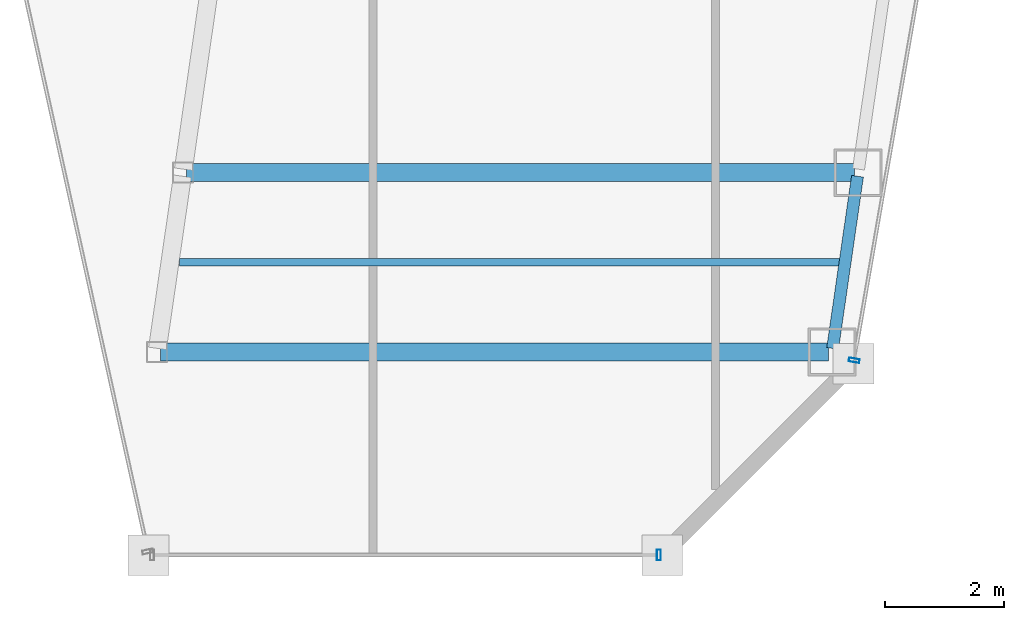
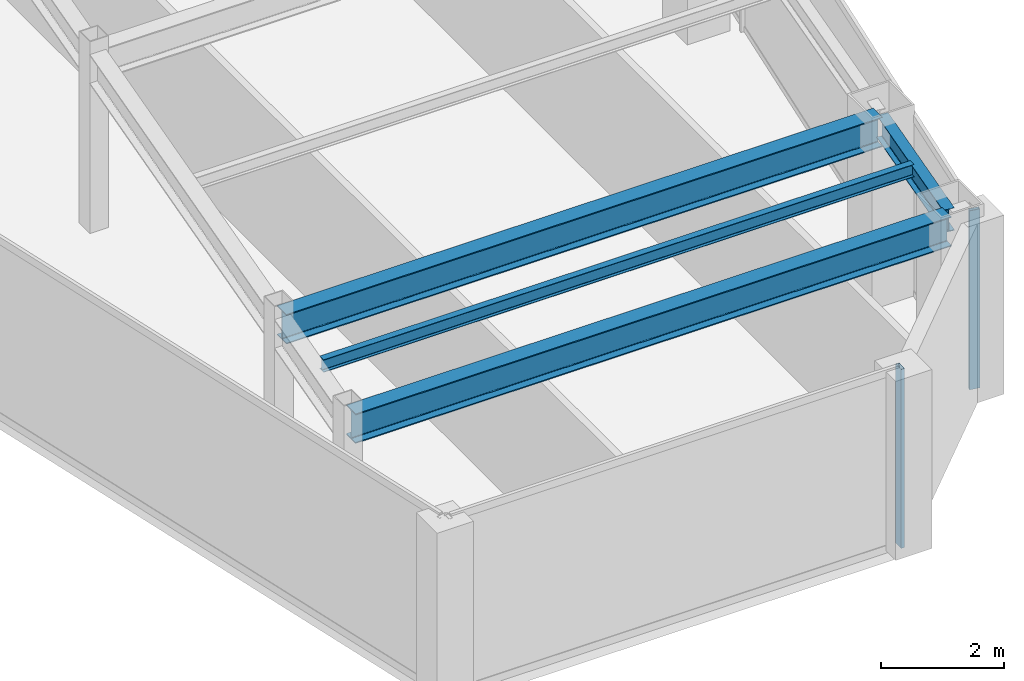
# One storey, part 14 of 33: 4 beams, 2 members, 2 elements without a shape of their own.
"""IFC4 building model written with IfcOpenShell, lengths in metres."""

from ifc_helpers import new_model, si_unit, direction, frame, origin, origin_2d, place, context, subcontext, project, spatial, hollow_rectangle, i_section, extrude, material, material_profile, profile_set, type_object, element, aggregate, save


model = new_model("IFC4")

# Units and contexts
model_context = context("Model", 3, precision=1e-05, world=origin(), true_north=direction((0.0, 1.0)))
body_context = subcontext(model_context, "Body", "Model", "MODEL_VIEW")
ifc_project = project(units=[si_unit("LENGTHUNIT", "METRE"), si_unit("AREAUNIT", "SQUARE_METRE"), si_unit("VOLUMEUNIT", "CUBIC_METRE"), si_unit("PLANEANGLEUNIT", "RADIAN"), si_unit("MASSUNIT", "GRAM", prefix="KILO")], contexts=[model_context])

# Site, building, storey
site_placement = place(None, origin())
site = spatial("IfcSite", under=ifc_project, at=site_placement, CompositionType="ELEMENT")
building_placement = place(site_placement, origin())
building = spatial("IfcBuilding", under=site, at=building_placement, Name="Saevonmaru Cultural Tower", CompositionType="ELEMENT")
storey_placement = place(building_placement, frame((0.0, 0.0, 238.199951171875)))
storey = spatial("IfcBuildingStorey", under=building, at=storey_placement, Name="L55", CompositionType="ELEMENT", Elevation=238.199951171875)

# Beams
ifc_material_1 = material(Name="Steel SM355", Category="steel")
ifc_material_profile_1 = material_profile(ifc_material_1, i_section(OverallWidth=0.300048828125, OverallDepth=0.587890625, WebThickness=0.011962890625, FlangeThickness=0.02001953125, FilletRadius=0.02392578125, at=origin_2d()), Name="H-588x300x12x20")
ifc_profile_set_1 = profile_set([ifc_material_profile_1], Name="Steel SM355")
beam_type_1 = type_object("IfcBeamType", Name="BM-G-H588", PredefinedType="BEAM", material=ifc_profile_set_1)
for number, where, z_axis, x_axis, name in (
    (1, (38.85400390625, 21.0, 3.256103515625), (1.0, 0.0, 0.0), (0.0, 1.0, 0.0), "L55 East Wing Transverse Girder 1"),
    (2, (39.2880859375, 24.0, 3.256103515625), (1.0, 0.0, 0.0), (0.0, 1.0, 0.0), "L55 East Wing Transverse Girder 2"),
):
    element("IfcBeam", number, at=place(storey_placement, frame(where, z_axis=z_axis, x_axis=x_axis)), inside=storey, type_object=beam_type_1, Name=name, PredefinedType="BEAM", context=body_context, shape_type="SweptSolid", body=[
        extrude(i_section(OverallWidth=0.300048828125, OverallDepth=0.587890625, WebThickness=0.011962890625, FlangeThickness=0.02001953125, FilletRadius=0.02392578125, at=origin_2d()), origin(), (0.0, 0.0, 1.0), 11.179931640625),
    ])
ifc_material_profile_2 = material_profile(ifc_material_1, i_section(OverallWidth=0.125, OverallDepth=0.25, WebThickness=0.006103515625, FlangeThickness=0.009033203125, FilletRadius=0.008056640625, at=origin_2d()), Name="H-250x125x6x9")
ifc_profile_set_2 = profile_set([ifc_material_profile_2], Name="Steel SM355")
beam_type_2 = type_object("IfcBeamType", Name="BM-J-H250", PredefinedType="JOIST", material=ifc_profile_set_2)
beam_1_placement = place(storey_placement, frame((39.1689453125, 22.5, 3.425048828125), z_axis=(1.0, 0.0, 0.0), x_axis=(0.0, 1.0, 0.0)))
element("IfcBeam", 3, at=beam_1_placement, inside=storey, type_object=beam_type_2, Name="L55 East Wing Floor Joist 1", PredefinedType="JOIST", context=body_context, shape_type="SweptSolid", body=[
    extrude(i_section(OverallWidth=0.125, OverallDepth=0.25, WebThickness=0.006103515625, FlangeThickness=0.009033203125, FilletRadius=0.008056640625, at=origin_2d()), origin(), (0.0, 0.0, 1.0), 11.08203125),
])
ifc_material_profile_3 = material_profile(ifc_material_1, i_section(OverallWidth=0.199951171875, OverallDepth=0.449951171875, WebThickness=0.009033203125, FlangeThickness=0.013916015625, FilletRadius=0.01806640625, at=origin_2d()), Name="H-450x200x9x14")
ifc_profile_set_3 = profile_set([ifc_material_profile_3], Name="Steel SM355")
beam_type_3 = type_object("IfcBeamType", Name="BM-SP-H450", PredefinedType="SPANDREL", material=ifc_profile_set_3)
beam_2_placement = place(storey_placement, frame((50.1025390625, 21.059326171875, 3.324951171875), z_axis=(0.143146955239, 0.98970144448, 0.0), x_axis=(-0.98970144448, 0.143146955239, 0.0)))
element("IfcBeam", 4, at=beam_2_placement, inside=storey, type_object=beam_type_3, Name="L55 East Splayed Spandrel 1", PredefinedType="SPANDREL", context=body_context, shape_type="SweptSolid", body=[
    extrude(i_section(OverallWidth=0.199951171875, OverallDepth=0.449951171875, WebThickness=0.009033203125, FlangeThickness=0.013916015625, FilletRadius=0.01806640625, at=origin_2d()), origin(), (0.0, 0.0, 1.0), 2.911376953125),
])

# Curtain wall, member
ifc_material_2 = material(Name="Satin Bronze Anodised Aluminium", Category="aluminium")
curtain_wall_type = type_object("IfcCurtainWallType", Name="CW-TYP-B", PredefinedType="NOTDEFINED", material=ifc_material_2)
curtain_wall_1_placement = place(storey_placement, origin())
curtain_wall_1 = element("IfcCurtainWall", 5, at=curtain_wall_1_placement, inside=storey, type_object=curtain_wall_type, Name="L55 Unitised Curtain Wall E6", PredefinedType="NOTDEFINED")
ifc_material_profile_4 = material_profile(ifc_material_2, hollow_rectangle(XDim=0.06494140625, YDim=0.179931640625, WallThickness=0.00390625, at=origin_2d()), Name="ALU-MULL-180x65x4")
ifc_profile_set_4 = profile_set([ifc_material_profile_4], Name="Satin Bronze Anodised Aluminium")
member_type = type_object("IfcMemberType", Name="ML-CW-180x65", PredefinedType="MULLION", material=ifc_profile_set_4)
member_1_placement = place(storey_placement, frame((47.193359375, 17.60009765625, 0.0), z_axis=(0.0, 0.0, 1.0), x_axis=(1.0, 0.0, 0.0)))
member_1 = element("IfcMember", 6, at=member_1_placement, type_object=member_type, Name="CW-TW-L55-E6 mullion 2", PredefinedType="MULLION", context=body_context, shape_type="SweptSolid", body=[
    extrude(hollow_rectangle(XDim=0.06494140625, YDim=0.179931640625, WallThickness=0.00390625, at=origin_2d()), origin(), (0.0, 0.0, 1.0), 3.550048828125),
])
aggregate(curtain_wall_1, [member_1])

curtain_wall_2_placement = place(storey_placement, origin())
curtain_wall_2 = element("IfcCurtainWall", 7, at=curtain_wall_2_placement, inside=storey, type_object=curtain_wall_type, Name="L55 Unitised Curtain Wall E8", PredefinedType="NOTDEFINED")
member_2_placement = place(storey_placement, frame((50.46337890625, 20.859130859375, 0.0), z_axis=(0.0, 0.0, 1.0), x_axis=(0.170790369887, 0.985307388359, 0.0)))
member_2 = element("IfcMember", 8, at=member_2_placement, type_object=member_type, Name="CW-TW-L55-E8 mullion 1", PredefinedType="MULLION", context=body_context, shape_type="SweptSolid", body=[
    extrude(hollow_rectangle(XDim=0.06494140625, YDim=0.179931640625, WallThickness=0.00390625, at=origin_2d()), origin(), (0.0, 0.0, 1.0), 3.550048828125),
])
aggregate(curtain_wall_2, [member_2])

save(model, "model.ifc")
